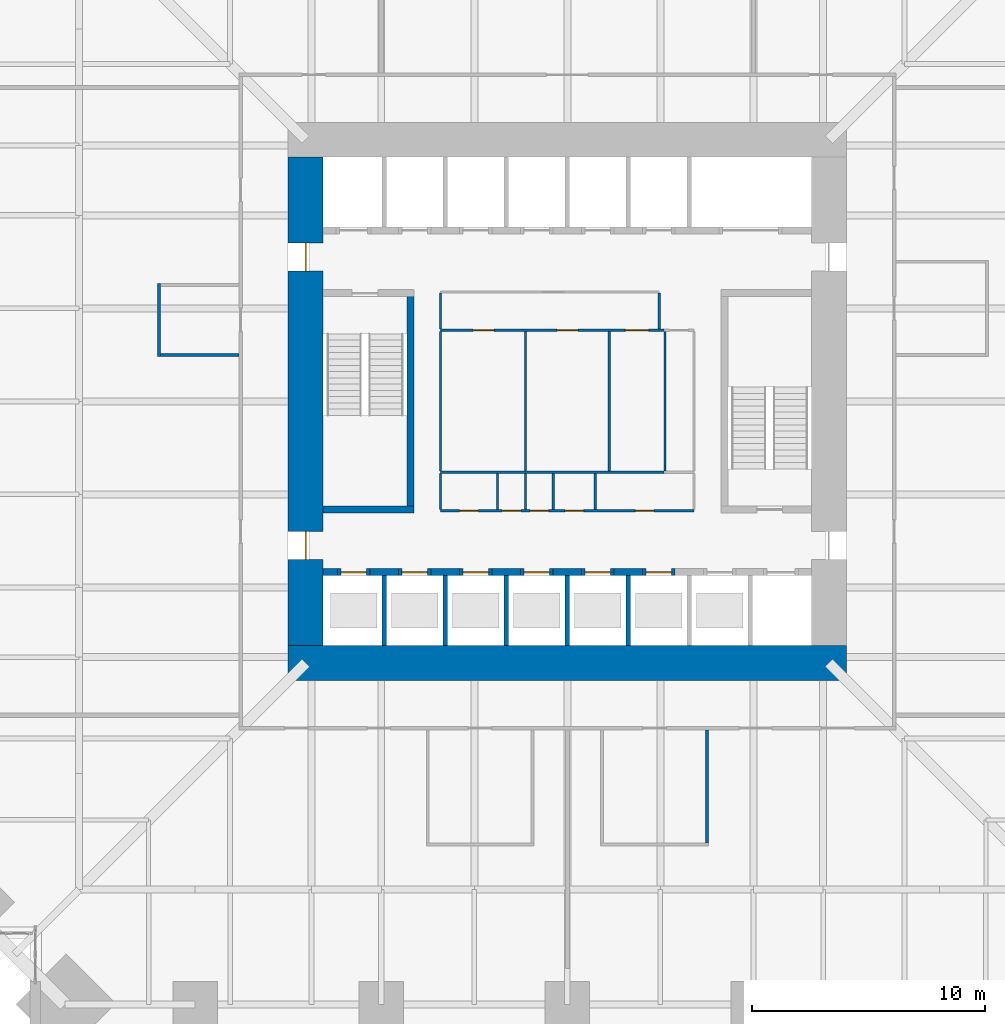
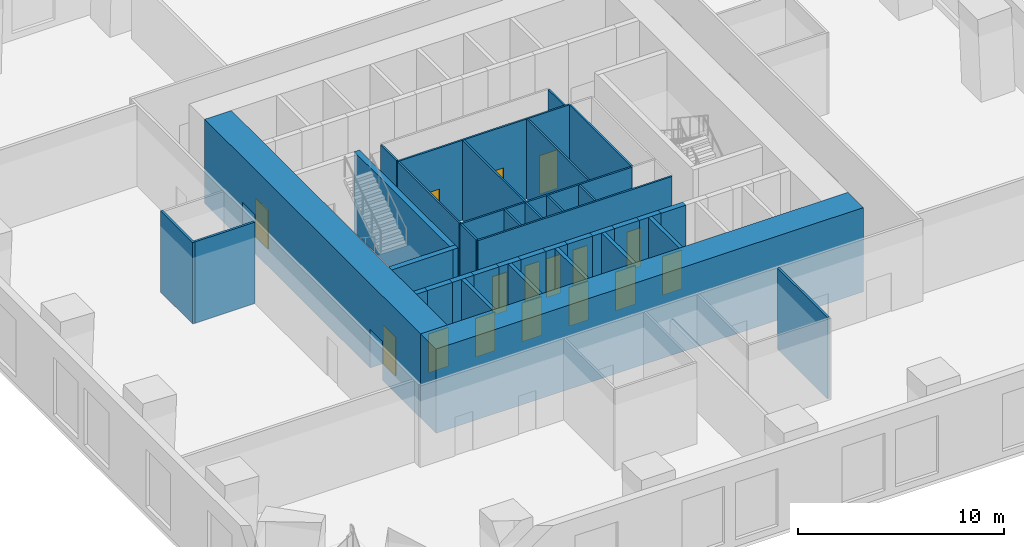
# One storey, part 13 of 18: 38 walls, 16 doors, 16 openings.
"""IFC4 building model written with IfcOpenShell, lengths in metres."""

from ifc_helpers import new_model, si_unit, direction, frame, frame_2d, origin, place, context, subcontext, project, spatial, rectangle, extrude, material, layer, layer_set, type_object, element, fill, save


model = new_model("IFC4")

# Units and contexts
model_context = context("Model", 3, precision=1e-05, world=origin(), true_north=direction((0.0, 1.0)))
body_context = subcontext(model_context, "Body", "Model", "MODEL_VIEW")
ifc_project = project(units=[si_unit("LENGTHUNIT", "METRE"), si_unit("AREAUNIT", "SQUARE_METRE"), si_unit("VOLUMEUNIT", "CUBIC_METRE"), si_unit("PLANEANGLEUNIT", "RADIAN"), si_unit("MASSUNIT", "GRAM", prefix="KILO")], contexts=[model_context])

# Site, building, storey
site_placement = place(None, origin())
site = spatial("IfcSite", under=ifc_project, at=site_placement, CompositionType="ELEMENT")
building_placement = place(site_placement, origin())
building = spatial("IfcBuilding", under=site, at=building_placement, Name="Peilmerk Tower", CompositionType="ELEMENT")
storey_placement = place(building_placement, frame((0.0, 0.0, 122.800048828125)))
storey = spatial("IfcBuildingStorey", under=building, at=storey_placement, Name="L24", CompositionType="ELEMENT", Elevation=122.800048828125)

# Walls
ifc_material_1 = material(Name="Concrete C35/45", Category="concrete")
ifc_layer_1 = layer(ifc_material_1, 0.300048828125)
ifc_layer_set_1 = layer_set([ifc_layer_1], Name="Concrete C35/45")
wall_type_1 = type_object("IfcWallType", Name="IW3 300 concrete stair enclosure wall, EI 120", PredefinedType="SOLIDWALL", material=ifc_layer_set_1)
wall_1_placement = place(storey_placement, frame((-6.75, -4.800048828125, 0.0), z_axis=(0.0, 0.0, 1.0), x_axis=(0.0, 1.0, 0.0)))
element("IfcWall", 1, at=wall_1_placement, inside=storey, type_object=wall_type_1, Name="Stair 1 enclosure L24", PredefinedType="SOLIDWALL", context=body_context, shape_type="SweptSolid", body=[
    extrude(rectangle(XDim=9.60009765625, YDim=0.300048828125, at=frame_2d((4.800048828125, 0.0))), origin(), (0.0, 0.0, 1.0), 4.75),
])
wall_2_placement = place(storey_placement, frame((-6.60009765625, -4.64990234375, 0.0), z_axis=(0.0, 0.0, 1.0), x_axis=(-1.0, 0.0, 0.0)))
element("IfcWall", 2, at=wall_2_placement, inside=storey, type_object=wall_type_1, Name="Stair 1 enclosure L24", PredefinedType="SOLIDWALL", context=body_context, shape_type="SweptSolid", body=[
    extrude(rectangle(XDim=3.89990234375, YDim=0.300048828125, at=frame_2d((1.949951171875, 0.0))), origin(), (0.0, 0.0, 1.0), 4.75),
])

# Wall, openings, doors
ifc_material_2 = material(Name="Plasterboard on steel studs", Category="steel")
ifc_layer_2 = layer(ifc_material_2, 0.10009765625)
ifc_layer_set_2 = layer_set([ifc_layer_2], Name="Plasterboard on steel studs")
wall_type_2 = type_object("IfcWallType", Name="IW4 100 WC partition", PredefinedType="PARTITIONING", material=ifc_layer_set_2)
wall_3_placement = place(storey_placement, frame((-5.449951171875, 3.050048828125, 0.0), z_axis=(0.0, 0.0, 1.0), x_axis=(1.0, 0.0, 0.0)))
wall_3 = element("IfcWall", 3, at=wall_3_placement, inside=storey, type_object=wall_type_2, Name="WC wall L24", PredefinedType="PARTITIONING", context=body_context, shape_type="SweptSolid", body=[
    extrude(rectangle(XDim=9.599853515625, YDim=0.10009765625, at=frame_2d((4.7998046875, 0.0))), origin(), (0.0, 0.0, 1.0), 4.75),
])
opening_1_placement = place(wall_3_placement, frame((1.39990234375, 0.0, 0.0)))
opening_1 = element("IfcOpeningElement", 4, at=opening_1_placement, cuts=wall_3, Name="Opening D5", PredefinedType="OPENING", context=body_context, shape_type="SweptSolid", body=[
    extrude(rectangle(XDim=0.89990234375, YDim=2.300048828125, at=frame_2d((0.449951171875, 1.14990234375))), frame((0.0, 0.06005859375, 0.0), z_axis=(0.0, -1.0, 0.0), x_axis=(1.0, 0.0, 0.0)), (0.0, 0.0, 1.0), 0.1201171875),
])
opening_2_placement = place(wall_3_placement, frame((5.0, 0.0, 0.0)))
opening_2 = element("IfcOpeningElement", 5, at=opening_2_placement, cuts=wall_3, Name="Opening D5", PredefinedType="OPENING", context=body_context, shape_type="SweptSolid", body=[
    extrude(rectangle(XDim=0.89990234375, YDim=2.300048828125, at=frame_2d((0.449951171875, 1.14990234375))), frame((0.0, 0.06005859375, 0.0), z_axis=(0.0, -1.0, 0.0), x_axis=(1.0, 0.0, 0.0)), (0.0, 0.0, 1.0), 0.1201171875),
])
opening_3_placement = place(wall_3_placement, frame((7.949951171875, 0.0, 0.0)))
opening_3 = element("IfcOpeningElement", 6, at=opening_3_placement, cuts=wall_3, Name="Opening D6", PredefinedType="OPENING", context=body_context, shape_type="SweptSolid", body=[
    extrude(rectangle(XDim=1.0, YDim=2.300048828125, at=frame_2d((0.5, 1.14990234375))), frame((0.0, 0.06005859375, 0.0), z_axis=(0.0, -1.0, 0.0), x_axis=(1.0, 0.0, 0.0)), (0.0, 0.0, 1.0), 0.1201171875),
])
ifc_material_3 = material(Name="Timber door in steel frame", Category="steel")
door_type_1 = type_object("IfcDoorType", Name="D5 900x2300 WC door", OperationType="SINGLE_SWING_LEFT", PredefinedType="DOOR", material=ifc_material_3)
door_1_placement = place(opening_1_placement, frame((0.89990234375, 0.0, 0.0), z_axis=(0.0, 0.0, 1.0), x_axis=(-1.0, 0.0, 0.0)))
door_1 = element("IfcDoor", 7, at=door_1_placement, inside=storey, type_object=door_type_1, Name="Male toilets door L24", OperationType="SINGLE_SWING_LEFT", OverallHeight=2.300048828125, OverallWidth=0.89990234375, PredefinedType="DOOR", context=body_context, shape_type="SweptSolid", body=[
    extrude(rectangle(XDim=0.89990234375, YDim=2.300048828125, at=frame_2d((0.449951171875, 1.14990234375))), frame((0.0, 0.02490234375, 0.0), z_axis=(0.0, -1.0, 0.0), x_axis=(1.0, 0.0, 0.0)), (0.0, 0.0, 1.0), 0.050048828125),
])
fill(opening_1, door_1)
door_2_placement = place(opening_2_placement, frame((0.89990234375, 0.0, 0.0), z_axis=(0.0, 0.0, 1.0), x_axis=(-1.0, 0.0, 0.0)))
door_2 = element("IfcDoor", 8, at=door_2_placement, inside=storey, type_object=door_type_1, Name="Female toilets door L24", OperationType="SINGLE_SWING_LEFT", OverallHeight=2.300048828125, OverallWidth=0.89990234375, PredefinedType="DOOR", context=body_context, shape_type="SweptSolid", body=[
    extrude(rectangle(XDim=0.89990234375, YDim=2.300048828125, at=frame_2d((0.449951171875, 1.14990234375))), frame((0.0, 0.02490234375, 0.0), z_axis=(0.0, -1.0, 0.0), x_axis=(1.0, 0.0, 0.0)), (0.0, 0.0, 1.0), 0.050048828125),
])
fill(opening_2, door_2)
door_type_2 = type_object("IfcDoorType", Name="D6 1000x2300 accessible WC door", OperationType="SLIDING_TO_LEFT", PredefinedType="DOOR", material=ifc_material_3)
door_3_placement = place(opening_3_placement, frame((1.0, 0.0, 0.0), z_axis=(0.0, 0.0, 1.0), x_axis=(-1.0, 0.0, 0.0)))
door_3 = element("IfcDoor", 9, at=door_3_placement, inside=storey, type_object=door_type_2, Name="Accessible WC door L24", OperationType="SLIDING_TO_LEFT", OverallHeight=2.300048828125, OverallWidth=1.0, PredefinedType="DOOR", context=body_context, shape_type="SweptSolid", body=[
    extrude(rectangle(XDim=1.0, YDim=2.300048828125, at=frame_2d((0.5, 1.14990234375))), frame((0.0, 0.02490234375, 0.0), z_axis=(0.0, -1.0, 0.0), x_axis=(1.0, 0.0, 0.0)), (0.0, 0.0, 1.0), 0.050048828125),
])
fill(opening_3, door_3)

# Walls
wall_4_placement = place(storey_placement, frame((4.14990234375, -3.050048828125, 0.0), z_axis=(0.0, 0.0, 1.0), x_axis=(-1.0, 0.0, 0.0)))
element("IfcWall", 10, at=wall_4_placement, inside=storey, type_object=wall_type_2, Name="WC wall L24", PredefinedType="PARTITIONING", context=body_context, shape_type="SweptSolid", body=[
    extrude(rectangle(XDim=9.599853515625, YDim=0.10009765625, at=frame_2d((4.7998046875, 0.0))), origin(), (0.0, 0.0, 1.0), 4.75),
])
for number, where, z_axis, x_axis, name in (
    (11, (-5.449951171875, -3.0, 0.0), (0.0, 0.0, 1.0), (0.0, 1.0, 0.0), "WC wall L24"),
    (12, (-1.800048828125, -3.0, 0.0), (0.0, 0.0, 1.0), (0.0, 1.0, 0.0), "WC wall L24"),
    (13, (1.800048828125, -3.0, 0.0), (0.0, 0.0, 1.0), (0.0, 1.0, 0.0), "WC wall L24"),
):
    element("IfcWall", number, at=place(storey_placement, frame(where, z_axis=z_axis, x_axis=x_axis)), inside=storey, type_object=wall_type_2, Name=name, PredefinedType="PARTITIONING", context=body_context, shape_type="SweptSolid", body=[
        extrude(rectangle(XDim=6.0, YDim=0.10009765625, at=frame_2d((3.0, 0.0))), origin(), (0.0, 0.0, 1.0), 4.75),
    ])
ifc_material_4 = material(Name="Calcium silicate board on steel studs", Category="steel")
ifc_layer_3 = layer(ifc_material_4, 0.10009765625)
ifc_layer_set_3 = layer_set([ifc_layer_3], Name="Calcium silicate board on steel studs")
wall_type_3 = type_object("IfcWallType", Name="IW5 100 riser enclosure wall, EI 60", PredefinedType="PARTITIONING", material=ifc_layer_set_3)
wall_5_placement = place(storey_placement, frame((4.199951171875, -3.0, 0.0), z_axis=(0.0, 0.0, 1.0), x_axis=(0.0, 1.0, 0.0)))
element("IfcWall", 14, at=wall_5_placement, inside=storey, type_object=wall_type_3, Name="Riser wall L24", PredefinedType="PARTITIONING", context=body_context, shape_type="SweptSolid", body=[
    extrude(rectangle(XDim=6.0, YDim=0.10009765625, at=frame_2d((3.0, 0.0))), origin(), (0.0, 0.0, 1.0), 4.75),
])

# Wall, openings, doors
wall_6_placement = place(storey_placement, frame((5.449951171875, -4.699951171875, 0.0), z_axis=(0.0, 0.0, 1.0), x_axis=(-1.0, 0.0, 0.0)))
wall_6 = element("IfcWall", 15, at=wall_6_placement, inside=storey, type_object=wall_type_3, Name="Riser wall L24", PredefinedType="PARTITIONING", context=body_context, shape_type="SweptSolid", body=[
    extrude(rectangle(XDim=10.89990234375, YDim=0.10009765625, at=frame_2d((5.449951171875, 0.0))), origin(), (0.0, 0.0, 1.0), 4.75),
])
opening_4_placement = place(wall_6_placement, frame((9.27490234375, 0.0, 0.0)))
opening_4 = element("IfcOpeningElement", 16, at=opening_4_placement, cuts=wall_6, Name="Opening D7", PredefinedType="OPENING", context=body_context, shape_type="SweptSolid", body=[
    extrude(rectangle(XDim=0.800048828125, YDim=2.300048828125, at=frame_2d((0.39990234375, 1.14990234375))), frame((0.0, 0.06005859375, 0.0), z_axis=(0.0, -1.0, 0.0), x_axis=(1.0, 0.0, 0.0)), (0.0, 0.0, 1.0), 0.1201171875),
])
opening_5_placement = place(wall_6_placement, frame((7.449951171875, 0.0, 0.0)))
opening_5 = element("IfcOpeningElement", 17, at=opening_5_placement, cuts=wall_6, Name="Opening D7", PredefinedType="OPENING", context=body_context, shape_type="SweptSolid", body=[
    extrude(rectangle(XDim=0.800048828125, YDim=2.300048828125, at=frame_2d((0.39990234375, 1.14990234375))), frame((0.0, 0.06005859375, 0.0), z_axis=(0.0, -1.0, 0.0), x_axis=(1.0, 0.0, 0.0)), (0.0, 0.0, 1.0), 0.1201171875),
])
opening_6_placement = place(wall_6_placement, frame((6.25, 0.0, 0.0)))
opening_6 = element("IfcOpeningElement", 18, at=opening_6_placement, cuts=wall_6, Name="Opening D7", PredefinedType="OPENING", context=body_context, shape_type="SweptSolid", body=[
    extrude(rectangle(XDim=0.800048828125, YDim=2.300048828125, at=frame_2d((0.39990234375, 1.14990234375))), frame((0.0, 0.06005859375, 0.0), z_axis=(0.0, -1.0, 0.0), x_axis=(1.0, 0.0, 0.0)), (0.0, 0.0, 1.0), 0.1201171875),
])
opening_7_placement = place(wall_6_placement, frame((4.75, 0.0, 0.0)))
opening_7 = element("IfcOpeningElement", 19, at=opening_7_placement, cuts=wall_6, Name="Opening D7", PredefinedType="OPENING", context=body_context, shape_type="SweptSolid", body=[
    extrude(rectangle(XDim=0.800048828125, YDim=2.300048828125, at=frame_2d((0.39990234375, 1.14990234375))), frame((0.0, 0.06005859375, 0.0), z_axis=(0.0, -1.0, 0.0), x_axis=(1.0, 0.0, 0.0)), (0.0, 0.0, 1.0), 0.1201171875),
])
opening_8_placement = place(wall_6_placement, frame((1.72509765625, 0.0, 0.0)))
opening_8 = element("IfcOpeningElement", 20, at=opening_8_placement, cuts=wall_6, Name="Opening D7", PredefinedType="OPENING", context=body_context, shape_type="SweptSolid", body=[
    extrude(rectangle(XDim=0.800048828125, YDim=2.300048828125, at=frame_2d((0.39990234375, 1.14990234375))), frame((0.0, 0.06005859375, 0.0), z_axis=(0.0, -1.0, 0.0), x_axis=(1.0, 0.0, 0.0)), (0.0, 0.0, 1.0), 0.1201171875),
])
ifc_material_5 = material(Name="Steel door in steel frame", Category="steel")
door_type_3 = type_object("IfcDoorType", Name="D7 800x2300 riser access door, EI2 60", OperationType="SINGLE_SWING_RIGHT", PredefinedType="DOOR", material=ifc_material_5)
door_4_placement = place(opening_4_placement, frame((0.800048828125, 0.0, 0.0), z_axis=(0.0, 0.0, 1.0), x_axis=(-1.0, 0.0, 0.0)))
door_4 = element("IfcDoor", 21, at=door_4_placement, inside=storey, type_object=door_type_3, Name="Electrical room door L24", OperationType="SINGLE_SWING_RIGHT", OverallHeight=2.300048828125, OverallWidth=0.800048828125, PredefinedType="DOOR", context=body_context, shape_type="SweptSolid", body=[
    extrude(rectangle(XDim=0.800048828125, YDim=2.300048828125, at=frame_2d((0.39990234375, 1.14990234375))), frame((0.0, 0.02490234375, 0.0), z_axis=(0.0, -1.0, 0.0), x_axis=(1.0, 0.0, 0.0)), (0.0, 0.0, 1.0), 0.050048828125),
])
fill(opening_4, door_4)
door_5_placement = place(opening_5_placement, frame((0.800048828125, 0.0, 0.0), z_axis=(0.0, 0.0, 1.0), x_axis=(-1.0, 0.0, 0.0)))
door_5 = element("IfcDoor", 22, at=door_5_placement, inside=storey, type_object=door_type_3, Name="Electrical riser door L24", OperationType="SINGLE_SWING_RIGHT", OverallHeight=2.300048828125, OverallWidth=0.800048828125, PredefinedType="DOOR", context=body_context, shape_type="SweptSolid", body=[
    extrude(rectangle(XDim=0.800048828125, YDim=2.300048828125, at=frame_2d((0.39990234375, 1.14990234375))), frame((0.0, 0.02490234375, 0.0), z_axis=(0.0, -1.0, 0.0), x_axis=(1.0, 0.0, 0.0)), (0.0, 0.0, 1.0), 0.050048828125),
])
fill(opening_5, door_5)
door_6_placement = place(opening_6_placement, frame((0.800048828125, 0.0, 0.0), z_axis=(0.0, 0.0, 1.0), x_axis=(-1.0, 0.0, 0.0)))
door_6 = element("IfcDoor", 23, at=door_6_placement, inside=storey, type_object=door_type_3, Name="Data riser door L24", OperationType="SINGLE_SWING_RIGHT", OverallHeight=2.300048828125, OverallWidth=0.800048828125, PredefinedType="DOOR", context=body_context, shape_type="SweptSolid", body=[
    extrude(rectangle(XDim=0.800048828125, YDim=2.300048828125, at=frame_2d((0.39990234375, 1.14990234375))), frame((0.0, 0.02490234375, 0.0), z_axis=(0.0, -1.0, 0.0), x_axis=(1.0, 0.0, 0.0)), (0.0, 0.0, 1.0), 0.050048828125),
])
fill(opening_6, door_6)
door_7_placement = place(opening_7_placement, frame((0.800048828125, 0.0, 0.0), z_axis=(0.0, 0.0, 1.0), x_axis=(-1.0, 0.0, 0.0)))
door_7 = element("IfcDoor", 24, at=door_7_placement, inside=storey, type_object=door_type_3, Name="Cleaner's cupboard door L24", OperationType="SINGLE_SWING_RIGHT", OverallHeight=2.300048828125, OverallWidth=0.800048828125, PredefinedType="DOOR", context=body_context, shape_type="SweptSolid", body=[
    extrude(rectangle(XDim=0.800048828125, YDim=2.300048828125, at=frame_2d((0.39990234375, 1.14990234375))), frame((0.0, 0.02490234375, 0.0), z_axis=(0.0, -1.0, 0.0), x_axis=(1.0, 0.0, 0.0)), (0.0, 0.0, 1.0), 0.050048828125),
])
fill(opening_7, door_7)
door_8_placement = place(opening_8_placement, frame((0.800048828125, 0.0, 0.0), z_axis=(0.0, 0.0, 1.0), x_axis=(-1.0, 0.0, 0.0)))
door_8 = element("IfcDoor", 25, at=door_8_placement, inside=storey, type_object=door_type_3, Name="Comms room door L24", OperationType="SINGLE_SWING_RIGHT", OverallHeight=2.300048828125, OverallWidth=0.800048828125, PredefinedType="DOOR", context=body_context, shape_type="SweptSolid", body=[
    extrude(rectangle(XDim=0.800048828125, YDim=2.300048828125, at=frame_2d((0.39990234375, 1.14990234375))), frame((0.0, 0.02490234375, 0.0), z_axis=(0.0, -1.0, 0.0), x_axis=(1.0, 0.0, 0.0)), (0.0, 0.0, 1.0), 0.050048828125),
])
fill(opening_8, door_8)

# Walls
for number, where, z_axis, x_axis, name in (
    (26, (-5.449951171875, -3.10009765625, 0.0), (0.0, 0.0, 1.0), (0.0, -1.0, 0.0), "Riser wall L24"),
    (27, (-3.0, -3.10009765625, 0.0), (0.0, 0.0, 1.0), (0.0, -1.0, 0.0), "Riser wall L24"),
    (28, (-1.800048828125, -3.10009765625, 0.0), (0.0, 0.0, 1.0), (0.0, -1.0, 0.0), "Riser wall L24"),
    (29, (-0.60009765625, -3.10009765625, 0.0), (0.0, 0.0, 1.0), (0.0, -1.0, 0.0), "Riser wall L24"),
    (30, (1.199951171875, -3.10009765625, 0.0), (0.0, 0.0, 1.0), (0.0, -1.0, 0.0), "Riser wall L24"),
):
    element("IfcWall", number, at=place(storey_placement, frame(where, z_axis=z_axis, x_axis=x_axis)), inside=storey, type_object=wall_type_3, Name=name, PredefinedType="PARTITIONING", context=body_context, shape_type="SweptSolid", body=[
        extrude(rectangle(XDim=1.5498046875, YDim=0.10009765625, at=frame_2d((0.77490234375, 0.0))), origin(), (0.0, 0.0, 1.0), 4.75),
    ])
ifc_material_6 = material(Name="Plasterboard on steel studs, double boarded with mineral wool", Category="steel")
ifc_layer_4 = layer(ifc_material_6, 0.125)
ifc_layer_set_4 = layer_set([ifc_layer_4], Name="Plasterboard on steel studs, double boarded with mineral wool")
wall_type_4 = type_object("IfcWallType", Name="IW7 125 acoustic partition, EI 30", PredefinedType="PARTITIONING", material=ifc_layer_set_4)
wall_7_placement = place(storey_placement, frame((6.0, -14.125, 0.0), z_axis=(0.0, 0.0, 1.0), x_axis=(0.0, -1.0, 0.0)))
element("IfcWall", 31, at=wall_7_placement, inside=storey, type_object=wall_type_4, Name="Acoustic partition Meeting room L24", PredefinedType="PARTITIONING", context=body_context, shape_type="SweptSolid", body=[
    extrude(rectangle(XDim=4.862548828125, YDim=0.125, at=frame_2d((2.43115234375, 0.0))), origin(), (0.0, 0.0, 1.0), 4.829833984375),
])
wall_8_placement = place(storey_placement, frame((-17.550048828125, 1.9375, 0.0), z_axis=(0.0, 0.0, 1.0), x_axis=(0.0, 1.0, 0.0)))
element("IfcWall", 32, at=wall_8_placement, inside=storey, type_object=wall_type_4, Name="Acoustic partition Focus room L24", PredefinedType="PARTITIONING", context=body_context, shape_type="SweptSolid", body=[
    extrude(rectangle(XDim=3.125, YDim=0.125, at=frame_2d((1.5625, 0.0))), origin(), (0.0, 0.0, 1.0), 4.829833984375),
])
wall_9_placement = place(storey_placement, frame((-14.125, 2.0, 0.0), z_axis=(0.0, 0.0, 1.0), x_axis=(-1.0, 0.0, 0.0)))
element("IfcWall", 33, at=wall_9_placement, inside=storey, type_object=wall_type_4, Name="Acoustic partition Focus room L24", PredefinedType="PARTITIONING", context=body_context, shape_type="SweptSolid", body=[
    extrude(rectangle(XDim=3.362548828125, YDim=0.125, at=frame_2d((1.68115234375, 0.0))), origin(), (0.0, 0.0, 1.0), 4.829833984375),
])
ifc_material_7 = material(Name="Fire-resisting plasterboard on steel studs", Category="steel")
ifc_layer_5 = layer(ifc_material_7, 0.10009765625)
ifc_layer_set_5 = layer_set([ifc_layer_5], Name="Fire-resisting plasterboard on steel studs")
wall_type_5 = type_object("IfcWallType", Name="IW9 100 WC lobby wall, EI 30", PredefinedType="PARTITIONING", material=ifc_layer_set_5)
for number, where, z_axis, x_axis, name in (
    (34, (-5.449951171875, 3.10009765625, 0.0), (0.0, 0.0, 1.0), (0.0, 1.0, 0.0), "WC lobby wall L24"),
    (35, (3.949951171875, 3.10009765625, 0.0), (0.0, 0.0, 1.0), (0.0, 1.0, 0.0), "WC lobby wall L24"),
):
    element("IfcWall", number, at=place(storey_placement, frame(where, z_axis=z_axis, x_axis=x_axis)), inside=storey, type_object=wall_type_5, Name=name, PredefinedType="PARTITIONING", context=body_context, shape_type="SweptSolid", body=[
        extrude(rectangle(XDim=1.5498046875, YDim=0.10009765625, at=frame_2d((0.77490234375, 0.0))), origin(), (0.0, 0.0, 1.0), 4.75),
    ])
ifc_material_8 = material(Name="Calcium silicate block", Category="masonry")
ifc_layer_6 = layer(ifc_material_8, 0.199951171875)
ifc_layer_set_6 = layer_set([ifc_layer_6], Name="Calcium silicate block")
wall_type_6 = type_object("IfcWallType", Name="SH1 200 shaft dividing wall, EI 120", PredefinedType="PARTITIONING", material=ifc_layer_set_6)
for number, where, z_axis, x_axis, name in (
    (36, (-7.875, -10.5, 0.0), (0.0, 0.0, 1.0), (0.0, 1.0, 0.0), "Shaft wall S C4 L24"),
    (37, (-5.25, -10.5, 0.0), (0.0, 0.0, 1.0), (0.0, 1.0, 0.0), "Shaft wall S C3 L24"),
    (38, (-2.625, -10.5, 0.0), (0.0, 0.0, 1.0), (0.0, 1.0, 0.0), "Shaft wall S C2 L24"),
    (39, (0.0, -10.5, 0.0), (0.0, 0.0, 1.0), (0.0, 1.0, 0.0), "Shaft wall S C1 L24"),
    (40, (2.625, -10.5, 0.0), (0.0, 0.0, 1.0), (0.0, 1.0, 0.0), "Shaft wall S B3 L24"),
):
    element("IfcWall", number, at=place(storey_placement, frame(where, z_axis=z_axis, x_axis=x_axis)), inside=storey, type_object=wall_type_6, Name=name, PredefinedType="PARTITIONING", context=body_context, shape_type="SweptSolid", body=[
        extrude(rectangle(XDim=3.0, YDim=0.199951171875, at=frame_2d((1.5, 0.0))), origin(), (0.0, 0.0, 1.0), 5.0),
    ])

# Wall, opening, door
ifc_layer_7 = layer(ifc_material_8, 0.300048828125)
ifc_layer_set_7 = layer_set([ifc_layer_7], Name="Calcium silicate block")
wall_type_7 = type_object("IfcWallType", Name="SH2 300 lift landing door panel, EI 120", PredefinedType="PARTITIONING", material=ifc_layer_set_7)
wall_10_placement = place(storey_placement, frame((-9.887451171875, -7.35009765625, 0.0), z_axis=(0.0, 0.0, 1.0), x_axis=(1.0, 0.0, 0.0)))
wall_10 = element("IfcWall", 41, at=wall_10_placement, inside=storey, type_object=wall_type_7, Name="Lift door panel S C4 L24", PredefinedType="PARTITIONING", context=body_context, shape_type="SweptSolid", body=[
    extrude(rectangle(XDim=1.39990234375, YDim=0.300048828125, at=frame_2d((0.699951171875, 0.0))), origin(), (0.0, 0.0, 1.0), 5.0),
])
opening_9_placement = place(wall_10_placement, frame((0.14990234375, 0.0, 0.0)))
opening_9 = element("IfcOpeningElement", 42, at=opening_9_placement, cuts=wall_10, Name="Opening LD1", PredefinedType="OPENING", context=body_context, shape_type="SweptSolid", body=[
    extrude(rectangle(XDim=1.10009765625, YDim=2.300048828125, at=frame_2d((0.550048828125, 1.14990234375))), frame((0.0, 0.159912109375, 0.0), z_axis=(0.0, -1.0, 0.0), x_axis=(1.0, 0.0, 0.0)), (0.0, 0.0, 1.0), 0.320068359375),
])
ifc_material_9 = material(Name="Stainless steel landing door", Category="steel")
door_type_4 = type_object("IfcDoorType", Name="LD1 1100x2300 lift landing door, sliding, EI2 60", OperationType="SLIDING_TO_LEFT", PredefinedType="DOOR", material=ifc_material_9)
door_9_placement = place(opening_9_placement, origin())
door_9 = element("IfcDoor", 43, at=door_9_placement, inside=storey, type_object=door_type_4, Name="Lift landing door C4 L24", OperationType="SLIDING_TO_LEFT", OverallHeight=2.300048828125, OverallWidth=1.10009765625, PredefinedType="DOOR", context=body_context, shape_type="SweptSolid", body=[
    extrude(rectangle(XDim=1.10009765625, YDim=2.300048828125, at=frame_2d((0.550048828125, 1.14990234375))), frame((0.0, 0.02490234375, 0.0), z_axis=(0.0, -1.0, 0.0), x_axis=(1.0, 0.0, 0.0)), (0.0, 0.0, 1.0), 0.050048828125),
])
fill(opening_9, door_9)

wall_11_placement = place(storey_placement, frame((-7.262451171875, -7.35009765625, 0.0), z_axis=(0.0, 0.0, 1.0), x_axis=(1.0, 0.0, 0.0)))
wall_11 = element("IfcWall", 44, at=wall_11_placement, inside=storey, type_object=wall_type_7, Name="Lift door panel S C3 L24", PredefinedType="PARTITIONING", context=body_context, shape_type="SweptSolid", body=[
    extrude(rectangle(XDim=1.39990234375, YDim=0.300048828125, at=frame_2d((0.699951171875, 0.0))), origin(), (0.0, 0.0, 1.0), 5.0),
])
opening_10_placement = place(wall_11_placement, frame((0.14990234375, 0.0, 0.0)))
opening_10 = element("IfcOpeningElement", 45, at=opening_10_placement, cuts=wall_11, Name="Opening LD1", PredefinedType="OPENING", context=body_context, shape_type="SweptSolid", body=[
    extrude(rectangle(XDim=1.10009765625, YDim=2.300048828125, at=frame_2d((0.550048828125, 1.14990234375))), frame((0.0, 0.159912109375, 0.0), z_axis=(0.0, -1.0, 0.0), x_axis=(1.0, 0.0, 0.0)), (0.0, 0.0, 1.0), 0.320068359375),
])
door_10_placement = place(opening_10_placement, origin())
door_10 = element("IfcDoor", 46, at=door_10_placement, inside=storey, type_object=door_type_4, Name="Lift landing door C3 L24", OperationType="SLIDING_TO_LEFT", OverallHeight=2.300048828125, OverallWidth=1.10009765625, PredefinedType="DOOR", context=body_context, shape_type="SweptSolid", body=[
    extrude(rectangle(XDim=1.10009765625, YDim=2.300048828125, at=frame_2d((0.550048828125, 1.14990234375))), frame((0.0, 0.02490234375, 0.0), z_axis=(0.0, -1.0, 0.0), x_axis=(1.0, 0.0, 0.0)), (0.0, 0.0, 1.0), 0.050048828125),
])
fill(opening_10, door_10)

wall_12_placement = place(storey_placement, frame((-4.637451171875, -7.35009765625, 0.0), z_axis=(0.0, 0.0, 1.0), x_axis=(1.0, 0.0, 0.0)))
wall_12 = element("IfcWall", 47, at=wall_12_placement, inside=storey, type_object=wall_type_7, Name="Lift door panel S C2 L24", PredefinedType="PARTITIONING", context=body_context, shape_type="SweptSolid", body=[
    extrude(rectangle(XDim=1.39990234375, YDim=0.300048828125, at=frame_2d((0.699951171875, 0.0))), origin(), (0.0, 0.0, 1.0), 5.0),
])
opening_11_placement = place(wall_12_placement, frame((0.14990234375, 0.0, 0.0)))
opening_11 = element("IfcOpeningElement", 48, at=opening_11_placement, cuts=wall_12, Name="Opening LD1", PredefinedType="OPENING", context=body_context, shape_type="SweptSolid", body=[
    extrude(rectangle(XDim=1.10009765625, YDim=2.300048828125, at=frame_2d((0.550048828125, 1.14990234375))), frame((0.0, 0.159912109375, 0.0), z_axis=(0.0, -1.0, 0.0), x_axis=(1.0, 0.0, 0.0)), (0.0, 0.0, 1.0), 0.320068359375),
])
door_11_placement = place(opening_11_placement, origin())
door_11 = element("IfcDoor", 49, at=door_11_placement, inside=storey, type_object=door_type_4, Name="Lift landing door C2 L24", OperationType="SLIDING_TO_LEFT", OverallHeight=2.300048828125, OverallWidth=1.10009765625, PredefinedType="DOOR", context=body_context, shape_type="SweptSolid", body=[
    extrude(rectangle(XDim=1.10009765625, YDim=2.300048828125, at=frame_2d((0.550048828125, 1.14990234375))), frame((0.0, 0.02490234375, 0.0), z_axis=(0.0, -1.0, 0.0), x_axis=(1.0, 0.0, 0.0)), (0.0, 0.0, 1.0), 0.050048828125),
])
fill(opening_11, door_11)

wall_13_placement = place(storey_placement, frame((-2.012451171875, -7.35009765625, 0.0), z_axis=(0.0, 0.0, 1.0), x_axis=(1.0, 0.0, 0.0)))
wall_13 = element("IfcWall", 50, at=wall_13_placement, inside=storey, type_object=wall_type_7, Name="Lift door panel S C1 L24", PredefinedType="PARTITIONING", context=body_context, shape_type="SweptSolid", body=[
    extrude(rectangle(XDim=1.39990234375, YDim=0.300048828125, at=frame_2d((0.699951171875, 0.0))), origin(), (0.0, 0.0, 1.0), 5.0),
])
opening_12_placement = place(wall_13_placement, frame((0.14990234375, 0.0, 0.0)))
opening_12 = element("IfcOpeningElement", 51, at=opening_12_placement, cuts=wall_13, Name="Opening LD1", PredefinedType="OPENING", context=body_context, shape_type="SweptSolid", body=[
    extrude(rectangle(XDim=1.10009765625, YDim=2.300048828125, at=frame_2d((0.550048828125, 1.14990234375))), frame((0.0, 0.159912109375, 0.0), z_axis=(0.0, -1.0, 0.0), x_axis=(1.0, 0.0, 0.0)), (0.0, 0.0, 1.0), 0.320068359375),
])
door_12_placement = place(opening_12_placement, origin())
door_12 = element("IfcDoor", 52, at=door_12_placement, inside=storey, type_object=door_type_4, Name="Lift landing door C1 L24", OperationType="SLIDING_TO_LEFT", OverallHeight=2.300048828125, OverallWidth=1.10009765625, PredefinedType="DOOR", context=body_context, shape_type="SweptSolid", body=[
    extrude(rectangle(XDim=1.10009765625, YDim=2.300048828125, at=frame_2d((0.550048828125, 1.14990234375))), frame((0.0, 0.02490234375, 0.0), z_axis=(0.0, -1.0, 0.0), x_axis=(1.0, 0.0, 0.0)), (0.0, 0.0, 1.0), 0.050048828125),
])
fill(opening_12, door_12)

wall_14_placement = place(storey_placement, frame((0.612548828125, -7.35009765625, 0.0), z_axis=(0.0, 0.0, 1.0), x_axis=(1.0, 0.0, 0.0)))
wall_14 = element("IfcWall", 53, at=wall_14_placement, inside=storey, type_object=wall_type_7, Name="Lift door panel S B3 L24", PredefinedType="PARTITIONING", context=body_context, shape_type="SweptSolid", body=[
    extrude(rectangle(XDim=1.39990234375, YDim=0.300048828125, at=frame_2d((0.699951171875, 0.0))), origin(), (0.0, 0.0, 1.0), 5.0),
])
opening_13_placement = place(wall_14_placement, frame((0.14990234375, 0.0, 0.0)))
opening_13 = element("IfcOpeningElement", 54, at=opening_13_placement, cuts=wall_14, Name="Opening LD1", PredefinedType="OPENING", context=body_context, shape_type="SweptSolid", body=[
    extrude(rectangle(XDim=1.10009765625, YDim=2.300048828125, at=frame_2d((0.550048828125, 1.14990234375))), frame((0.0, 0.159912109375, 0.0), z_axis=(0.0, -1.0, 0.0), x_axis=(1.0, 0.0, 0.0)), (0.0, 0.0, 1.0), 0.320068359375),
])
door_13_placement = place(opening_13_placement, origin())
door_13 = element("IfcDoor", 55, at=door_13_placement, inside=storey, type_object=door_type_4, Name="Lift landing door B3 L24", OperationType="SLIDING_TO_LEFT", OverallHeight=2.300048828125, OverallWidth=1.10009765625, PredefinedType="DOOR", context=body_context, shape_type="SweptSolid", body=[
    extrude(rectangle(XDim=1.10009765625, YDim=2.300048828125, at=frame_2d((0.550048828125, 1.14990234375))), frame((0.0, 0.02490234375, 0.0), z_axis=(0.0, -1.0, 0.0), x_axis=(1.0, 0.0, 0.0)), (0.0, 0.0, 1.0), 0.050048828125),
])
fill(opening_13, door_13)

wall_15_placement = place(storey_placement, frame((3.237548828125, -7.35009765625, 0.0), z_axis=(0.0, 0.0, 1.0), x_axis=(1.0, 0.0, 0.0)))
wall_15 = element("IfcWall", 56, at=wall_15_placement, inside=storey, type_object=wall_type_7, Name="Lift door panel S B2 L24", PredefinedType="PARTITIONING", context=body_context, shape_type="SweptSolid", body=[
    extrude(rectangle(XDim=1.39990234375, YDim=0.300048828125, at=frame_2d((0.699951171875, 0.0))), origin(), (0.0, 0.0, 1.0), 5.0),
])
opening_14_placement = place(wall_15_placement, frame((0.14990234375, 0.0, 0.0)))
opening_14 = element("IfcOpeningElement", 57, at=opening_14_placement, cuts=wall_15, Name="Opening LD1", PredefinedType="OPENING", context=body_context, shape_type="SweptSolid", body=[
    extrude(rectangle(XDim=1.10009765625, YDim=2.300048828125, at=frame_2d((0.550048828125, 1.14990234375))), frame((0.0, 0.159912109375, 0.0), z_axis=(0.0, -1.0, 0.0), x_axis=(1.0, 0.0, 0.0)), (0.0, 0.0, 1.0), 0.320068359375),
])
door_14_placement = place(opening_14_placement, origin())
door_14 = element("IfcDoor", 58, at=door_14_placement, inside=storey, type_object=door_type_4, Name="Lift landing door B2 L24", OperationType="SLIDING_TO_LEFT", OverallHeight=2.300048828125, OverallWidth=1.10009765625, PredefinedType="DOOR", context=body_context, shape_type="SweptSolid", body=[
    extrude(rectangle(XDim=1.10009765625, YDim=2.300048828125, at=frame_2d((0.550048828125, 1.14990234375))), frame((0.0, 0.02490234375, 0.0), z_axis=(0.0, -1.0, 0.0), x_axis=(1.0, 0.0, 0.0)), (0.0, 0.0, 1.0), 0.050048828125),
])
fill(opening_14, door_14)

# Wall
ifc_material_10 = material(Name="Concrete C55/67", Category="concrete")
ifc_layer_8 = layer(ifc_material_10, 1.5)
ifc_layer_set_8 = layer_set([ifc_layer_8], Name="Concrete C55/67")
wall_type_8 = type_object("IfcWallType", Name="SW1 1500 core wall", PredefinedType="SHEAR", material=ifc_layer_set_8)
wall_16_placement = place(storey_placement, frame((12.0, -11.25, 0.0), z_axis=(0.0, 0.0, 1.0), x_axis=(-1.0, 0.0, 0.0)))
element("IfcWall", 59, at=wall_16_placement, inside=storey, type_object=wall_type_8, Name="Core wall S L24", PredefinedType="SHEAR", context=body_context, shape_type="SweptSolid", body=[
    extrude(rectangle(XDim=24.0, YDim=1.5, at=frame_2d((12.0, 0.0))), origin(), (0.0, 0.0, 1.0), 5.0),
])

# Wall, openings, doors
wall_17_placement = place(storey_placement, frame((-11.25, -10.5, 0.0), z_axis=(0.0, 0.0, 1.0), x_axis=(0.0, 1.0, 0.0)))
wall_17 = element("IfcWall", 60, at=wall_17_placement, inside=storey, type_object=wall_type_8, Name="Core wall W L24", PredefinedType="SHEAR", context=body_context, shape_type="SweptSolid", body=[
    extrude(rectangle(XDim=21.0, YDim=1.5, at=frame_2d((10.5, 0.0))), origin(), (0.0, 0.0, 1.0), 5.0),
])
opening_15_placement = place(wall_17_placement, frame((16.10009765625, 0.0, 0.0)))
opening_15 = element("IfcOpeningElement", 61, at=opening_15_placement, cuts=wall_17, Name="Opening D3", PredefinedType="OPENING", context=body_context, shape_type="SweptSolid", body=[
    extrude(rectangle(XDim=1.199951171875, YDim=2.300048828125, at=frame_2d((0.60009765625, 1.14990234375))), frame((0.0, 0.760009765625, 0.0), z_axis=(0.0, -1.0, 0.0), x_axis=(1.0, 0.0, 0.0)), (0.0, 0.0, 1.0), 1.52001953125),
])
opening_16_placement = place(wall_17_placement, frame((3.699951171875, 0.0, 0.0)))
opening_16 = element("IfcOpeningElement", 62, at=opening_16_placement, cuts=wall_17, Name="Opening D3", PredefinedType="OPENING", context=body_context, shape_type="SweptSolid", body=[
    extrude(rectangle(XDim=1.199951171875, YDim=2.300048828125, at=frame_2d((0.60009765625, 1.14990234375))), frame((0.0, 0.760009765625, 0.0), z_axis=(0.0, -1.0, 0.0), x_axis=(1.0, 0.0, 0.0)), (0.0, 0.0, 1.0), 1.52001953125),
])
door_type_5 = type_object("IfcDoorType", Name="D3 1200x2300 core door, EI2 60", OperationType="SINGLE_SWING_LEFT", PredefinedType="DOOR", material=ifc_material_5)
door_15_placement = place(opening_15_placement, frame((1.199951171875, 0.0, 0.0), z_axis=(0.0, 0.0, 1.0), x_axis=(-1.0, 0.0, 0.0)))
door_15 = element("IfcDoor", 63, at=door_15_placement, inside=storey, type_object=door_type_5, Name="Core door L24", OperationType="SINGLE_SWING_LEFT", OverallHeight=2.300048828125, OverallWidth=1.199951171875, PredefinedType="DOOR", context=body_context, shape_type="SweptSolid", body=[
    extrude(rectangle(XDim=1.199951171875, YDim=2.300048828125, at=frame_2d((0.60009765625, 1.14990234375))), frame((0.0, 0.02490234375, 0.0), z_axis=(0.0, -1.0, 0.0), x_axis=(1.0, 0.0, 0.0)), (0.0, 0.0, 1.0), 0.050048828125),
])
fill(opening_15, door_15)
door_16_placement = place(opening_16_placement, frame((1.199951171875, 0.0, 0.0), z_axis=(0.0, 0.0, 1.0), x_axis=(-1.0, 0.0, 0.0)))
door_16 = element("IfcDoor", 64, at=door_16_placement, inside=storey, type_object=door_type_5, Name="Core door L24", OperationType="SINGLE_SWING_LEFT", OverallHeight=2.300048828125, OverallWidth=1.199951171875, PredefinedType="DOOR", context=body_context, shape_type="SweptSolid", body=[
    extrude(rectangle(XDim=1.199951171875, YDim=2.300048828125, at=frame_2d((0.60009765625, 1.14990234375))), frame((0.0, 0.02490234375, 0.0), z_axis=(0.0, -1.0, 0.0), x_axis=(1.0, 0.0, 0.0)), (0.0, 0.0, 1.0), 0.050048828125),
])
fill(opening_16, door_16)

# Walls
ifc_layer_9 = layer(ifc_material_10, 0.300048828125)
ifc_layer_set_9 = layer_set([ifc_layer_9], Name="Concrete C55/67")
wall_type_9 = type_object("IfcWallType", Name="SW2 300 lift bank pier", PredefinedType="SHEAR", material=ifc_layer_set_9)
wall_18_placement = place(storey_placement, frame((-10.5, -7.35009765625, 0.0), z_axis=(0.0, 0.0, 1.0), x_axis=(1.0, 0.0, 0.0)))
element("IfcWall", 65, at=wall_18_placement, inside=storey, type_object=wall_type_9, Name="Lift bank pier S L24", PredefinedType="SHEAR", context=body_context, shape_type="SweptSolid", body=[
    extrude(rectangle(XDim=0.612548828125, YDim=0.300048828125, at=frame_2d((0.30615234375, 0.0))), origin(), (0.0, 0.0, 1.0), 5.0),
])
for number, where, z_axis, x_axis, name in (
    (66, (-8.487548828125, -7.35009765625, 0.0), (0.0, 0.0, 1.0), (1.0, 0.0, 0.0), "Lift bank pier S L24"),
    (67, (-5.862548828125, -7.35009765625, 0.0), (0.0, 0.0, 1.0), (1.0, 0.0, 0.0), "Lift bank pier S L24"),
    (68, (-3.237548828125, -7.35009765625, 0.0), (0.0, 0.0, 1.0), (1.0, 0.0, 0.0), "Lift bank pier S L24"),
    (69, (-0.612548828125, -7.35009765625, 0.0), (0.0, 0.0, 1.0), (1.0, 0.0, 0.0), "Lift bank pier S L24"),
    (70, (2.012451171875, -7.35009765625, 0.0), (0.0, 0.0, 1.0), (1.0, 0.0, 0.0), "Lift bank pier S L24"),
):
    element("IfcWall", number, at=place(storey_placement, frame(where, z_axis=z_axis, x_axis=x_axis)), inside=storey, type_object=wall_type_9, Name=name, PredefinedType="SHEAR", context=body_context, shape_type="SweptSolid", body=[
        extrude(rectangle(XDim=1.22509765625, YDim=0.300048828125, at=frame_2d((0.612548828125, 0.0))), origin(), (0.0, 0.0, 1.0), 5.0),
    ])

save(model, "model.ifc")
